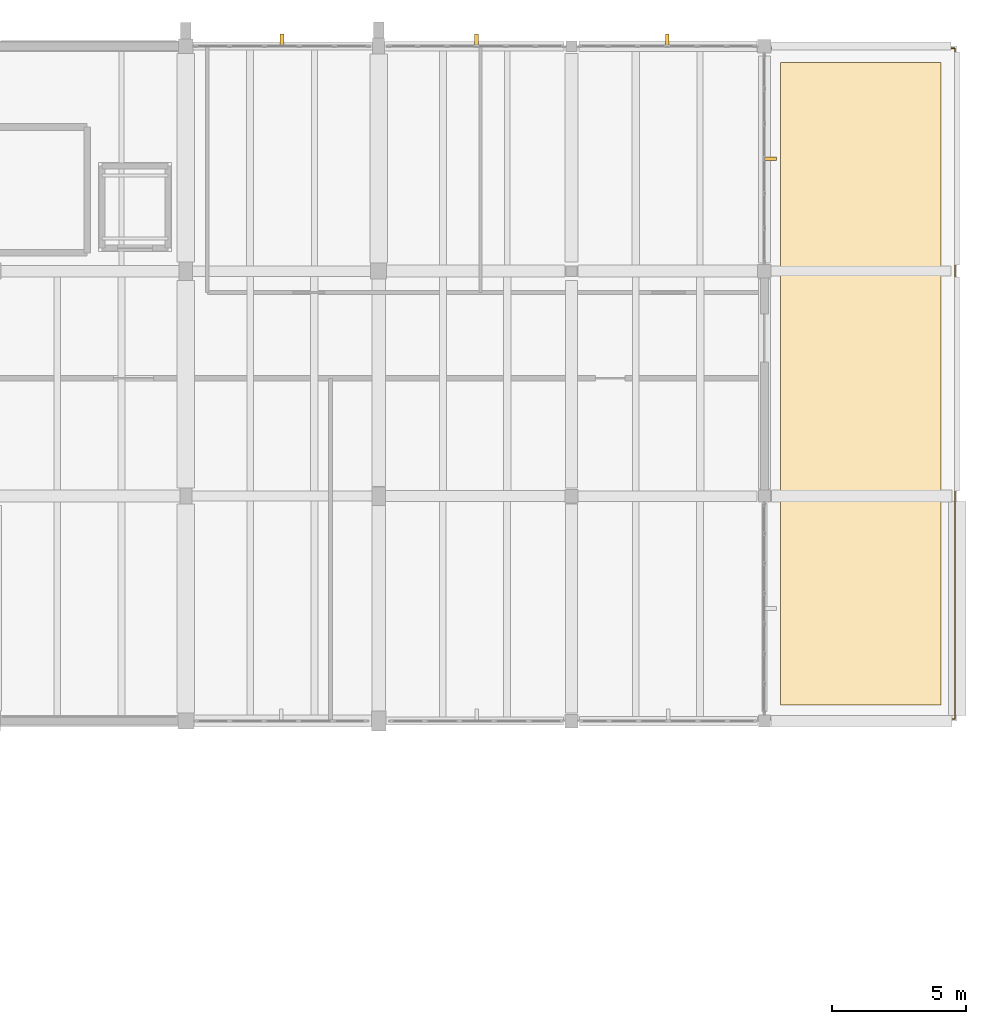
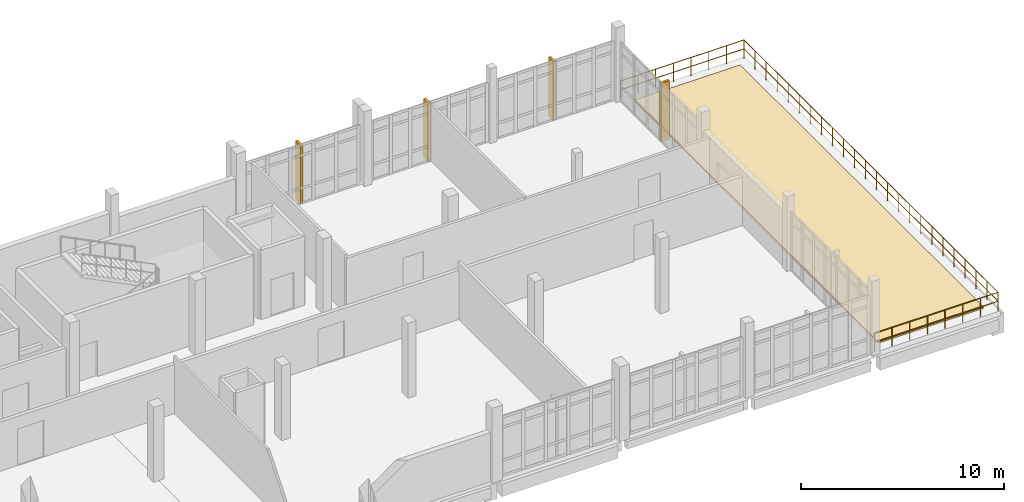
# One storey, part 41 of 41: 4 shading devices, 1 covering, 1 railing.
"""IFC4 building model written with IfcOpenShell, lengths in metres."""

import ifcopenshell
import ifcopenshell.guid

model = None  # the IFC model being written
_history = None  # IfcOwnerHistory: only IFC2X3 demands one
_inside = {}  # id of a spatial element -> (the spatial element, [elements in it])
_under = {}  # id of a project, library or spatial element -> (it, [spatial elements below it])
_declared = {}  # id of a project -> (the project, [libraries it declares])
_typed = {}  # id of a type object -> (the type object, [elements of that type])
_made_of = {}  # id of a material, layer set ... -> (it, [elements and type objects made of it])


def new_model(schema):
    """Start an empty IFC model of exactly this schema.

    Asked for "IFC4X3", IfcOpenShell would pick the latest addendum, in which some entities
    have other attributes; the version numbers below select the first issue.
    IFC2X3 requires an IfcOwnerHistory on every rooted entity: one is made here for all.
    """
    global model, _history
    if schema == "IFC4X3":
        model = ifcopenshell.file(schema_version=(4, 3, 0, 0))
    else:
        model = ifcopenshell.file(schema=schema)
    _inside.clear()
    _under.clear()
    _declared.clear()
    _typed.clear()
    _made_of.clear()
    _history = None
    if model.schema == "IFC2X3":
        org = make("IfcOrganization", Name="unknown")
        user = make(
            "IfcPersonAndOrganization",
            ThePerson=make("IfcPerson", FamilyName="unknown"),
            TheOrganization=org,
        )
        app = make(
            "IfcApplication",
            ApplicationDeveloper=org,
            Version="unknown",
            ApplicationFullName="unknown",
            ApplicationIdentifier="unknown",
        )
        _history = make(
            "IfcOwnerHistory",
            OwningUser=user,
            OwningApplication=app,
            ChangeAction="ADDED",
            CreationDate=0,
        )
    return model


def make(cls, **values):
    """One entity of the class cls with the attributes given. An attribute that is None is left unset."""
    return model.create_entity(
        cls, **{name: value for name, value in values.items() if value is not None}
    )


def rooted(cls, **values):
    """An entity with a GlobalId (a new one), such as an element, a storey or a relation."""
    return make(cls, GlobalId=ifcopenshell.guid.new(), OwnerHistory=_history, **values)


def si_unit(unit_type, name, prefix=None):
    """IfcSIUnit, for example si_unit("LENGTHUNIT", "METRE", prefix="MILLI")."""
    return make("IfcSIUnit", UnitType=unit_type, Prefix=prefix, Name=name)


def assignment(units):
    """IfcUnitAssignment: the units of a project."""
    return None if units is None else make("IfcUnitAssignment", Units=units)


def point(xyz):
    """IfcCartesianPoint."""
    return None if xyz is None else make("IfcCartesianPoint", Coordinates=xyz)


def direction(xyz):
    """IfcDirection."""
    return None if xyz is None else make("IfcDirection", DirectionRatios=xyz)


def frame(location, z_axis=None, x_axis=None):
    """IfcAxis2Placement3D, a coordinate frame: its origin and axes. An axis left out is left unset."""
    return make(
        "IfcAxis2Placement3D",
        Location=point(location),
        Axis=direction(z_axis),
        RefDirection=direction(x_axis),
    )


def frame_2d(location, x_axis=None):
    """IfcAxis2Placement2D, a coordinate frame in the plane: its origin and x axis."""
    return make(
        "IfcAxis2Placement2D", Location=point(location), RefDirection=direction(x_axis)
    )


def origin():
    """The frame at (0, 0, 0) with its axes left unset."""
    return frame((0.0, 0.0, 0.0))


def origin_2d():
    """The frame at (0, 0) in the plane with its x axis left unset."""
    return frame_2d((0.0, 0.0))


def place(relative_to, where):
    """IfcLocalPlacement: puts the frame where relative to a parent placement (None: the world)."""
    return make(
        "IfcLocalPlacement", PlacementRelTo=relative_to, RelativePlacement=where
    )


def context(
    kind, dimensions, precision=None, world=None, true_north=None, identifier=None
):
    """IfcGeometricRepresentationContext, for example the 3D "Model" context."""
    return make(
        "IfcGeometricRepresentationContext",
        ContextIdentifier=identifier,
        ContextType=kind,
        CoordinateSpaceDimension=dimensions,
        Precision=precision,
        WorldCoordinateSystem=world,
        TrueNorth=true_north,
    )


def subcontext(parent, identifier, kind, view, scale=None):
    """IfcGeometricRepresentationSubContext, for example "Body" below "Model"."""
    return make(
        "IfcGeometricRepresentationSubContext",
        ContextIdentifier=identifier,
        ContextType=kind,
        ParentContext=parent,
        TargetScale=scale,
        TargetView=view,
    )


def project(units=None, contexts=None):
    """IfcProject with its units and contexts."""
    return rooted(
        "IfcProject",
        Name="project",
        RepresentationContexts=contexts,
        UnitsInContext=assignment(units),
    )


def spatial(cls, under=None, at=None, **own):
    """A site, building, storey or space (cls), placed at a placement, below another one or the project."""
    s = rooted(cls, ObjectPlacement=at, **own)
    if under is not None:
        _under.setdefault(under.id(), (under, []))[1].append(s)
    return s


def polyline(points):
    """IfcPolyline through the points."""
    return make("IfcPolyline", Points=[point(p) for p in points])


def profile(cls, at=None, kind="AREA", **sizes):
    """A parametric profile (cls). Its sizes go by their IFC names, for example OverallWidth=200.0."""
    return make(cls, ProfileType=kind, Position=at, **sizes)


def rectangle(**sizes):
    """IfcRectangleProfileDef."""
    return profile("IfcRectangleProfileDef", **sizes)


def circle(**sizes):
    """IfcCircleProfileDef."""
    return profile("IfcCircleProfileDef", **sizes)


def outline(outer, holes=None, kind="AREA"):
    """IfcArbitraryClosedProfileDef: a profile drawn as a closed curve; with holes, ...WithVoids."""
    if holes is None:
        return make("IfcArbitraryClosedProfileDef", ProfileType=kind, OuterCurve=outer)
    return make(
        "IfcArbitraryProfileDefWithVoids",
        ProfileType=kind,
        OuterCurve=outer,
        InnerCurves=holes,
    )


def extrude(swept, where, along, depth):
    """IfcExtrudedAreaSolid: the profile swept, set in the frame where, extruded along a direction by depth."""
    return make(
        "IfcExtrudedAreaSolid",
        SweptArea=swept,
        Position=where,
        ExtrudedDirection=direction(along),
        Depth=depth,
    )


def shape(context_of_items, identifier, shape_type, items):
    """IfcShapeRepresentation: the items that make up one representation, for example the "Body"."""
    return make(
        "IfcShapeRepresentation",
        ContextOfItems=context_of_items,
        RepresentationIdentifier=identifier,
        RepresentationType=shape_type,
        Items=items,
    )


def material(Name=None, Category=None):
    """IfcMaterial."""
    return make("IfcMaterial", Name=Name, Category=Category)


def layer(
    of_material, thickness, ventilated=None, Name=None, Category=None, Priority=None
):
    """IfcMaterialLayer: one layer of a wall or slab, of a material (None: an air gap)."""
    return make(
        "IfcMaterialLayer",
        Material=of_material,
        LayerThickness=thickness,
        IsVentilated=ventilated,
        Name=Name,
        Category=Category,
        Priority=Priority,
    )


def layer_set(layers, Name=None):
    """IfcMaterialLayerSet."""
    return make("IfcMaterialLayerSet", MaterialLayers=layers, LayerSetName=Name)


def made_of(thing, what):
    """Note that an element or type object is made of a material, layer set ...; save() writes the relation."""
    if what is not None:
        _made_of.setdefault(what.id(), (what, []))[1].append(thing)
    return thing


def type_object(cls, material=None, **own):
    """A type object (cls), such as IfcWallType, which elements share."""
    return made_of(rooted(cls, **own), material)


def element(
    cls,
    number,
    at=None,
    inside=None,
    cuts=None,
    type_object=None,
    material=None,
    context=None,
    identifier="Body",
    shape_type=None,
    held_by="IfcProductDefinitionShape",
    body=None,
    shapes=None,
    **own,
):
    """One element of the class cls, such as IfcWall. Its Tag is "e" and its number.

    at: its placement. inside: the storey or other place that contains it. cuts: it is an
    opening in that element (IfcRelVoidsElement). A single representation is given by context,
    identifier, shape_type and body (its items); several are given by shapes. held_by: the class
    of the entity that holds the representations. save() writes the other relations.
    """
    e = rooted(cls, Tag="e%d" % number, ObjectPlacement=at, **own)
    if body is not None:
        shapes = [shape(context, identifier, shape_type, body)]
    if shapes is not None:
        e.Representation = make(held_by, Representations=shapes)
    if inside is not None:
        _inside.setdefault(inside.id(), (inside, []))[1].append(e)
    if cuts is not None:
        rooted(
            "IfcRelVoidsElement", RelatingBuildingElement=cuts, RelatedOpeningElement=e
        )
    if type_object is not None:
        _typed.setdefault(type_object.id(), (type_object, []))[1].append(e)
    return made_of(e, material)


def aggregate(whole, parts):
    """IfcRelAggregates: a whole, such as a stair, and the parts it consists of."""
    return rooted("IfcRelAggregates", RelatingObject=whole, RelatedObjects=parts)


def save(model, path):
    """Write the relations noted so far, then the file.

    IfcRelAggregates (storeys below a building ...), IfcRelContainedInSpatialStructure (elements
    in a storey), IfcRelDefinesByType, IfcRelAssociatesMaterial and IfcRelDeclares: one each for
    every whole, place, type object, material and project.
    """
    for whole, parts in _under.values():
        aggregate(whole, parts)
    for where, things in _inside.values():
        rooted(
            "IfcRelContainedInSpatialStructure",
            RelatedElements=things,
            RelatingStructure=where,
        )
    for kind, things in _typed.values():
        rooted("IfcRelDefinesByType", RelatedObjects=things, RelatingType=kind)
    for what, things in _made_of.values():
        rooted("IfcRelAssociatesMaterial", RelatedObjects=things, RelatingMaterial=what)
    for by, libraries in _declared.values():
        rooted("IfcRelDeclares", RelatingContext=by, RelatedDefinitions=libraries)
    model.write(path)


model = new_model("IFC4")

# Units and contexts
model_context = context("Model", 3, precision=1e-05, world=origin(), true_north=direction((0.0, 1.0)))
body_context = subcontext(model_context, "Body", "Model", "MODEL_VIEW")
ifc_project = project(units=[si_unit("LENGTHUNIT", "METRE"), si_unit("AREAUNIT", "SQUARE_METRE"), si_unit("VOLUMEUNIT", "CUBIC_METRE"), si_unit("PLANEANGLEUNIT", "RADIAN"), si_unit("MASSUNIT", "GRAM", prefix="KILO")], contexts=[model_context])

# Site, building, storey
site_placement = place(None, origin())
site = spatial("IfcSite", under=ifc_project, at=site_placement, CompositionType="ELEMENT")
building_placement = place(site_placement, origin())
building = spatial("IfcBuilding", under=site, at=building_placement, Name="Kalluvel Institute of Natural Sciences", CompositionType="ELEMENT")
storey_placement = place(building_placement, frame((0.0, 0.0, 32.39990234375)))
storey = spatial("IfcBuildingStorey", under=building, at=storey_placement, Name="L07", CompositionType="ELEMENT", Elevation=32.39990234375)

# Covering
ifc_material_1 = material(Name="Planted Sedum and Native Flora Green-Roof Build-Up", Category="earth")
ifc_layer = layer(ifc_material_1, 0.090087890625)
ifc_layer_set = layer_set([ifc_layer], Name="Planted Sedum and Native Flora Green-Roof Build-Up")
covering_type = type_object("IfcCoveringType", Name="COV-TER-PLANTED", PredefinedType="ROOFING", material=ifc_layer_set)
covering_placement = place(storey_placement, origin())
element("IfcCovering", 1, at=covering_placement, inside=storey, type_object=covering_type, Name="L07 botanical planted terrace green-roof strip RM-L07-WET-PLANT", PredefinedType="ROOFING", context=body_context, shape_type="SweptSolid", body=[
    extrude(outline(polyline([(101.0, 103.39990234375), (107.0, 103.39990234375), (107.0, 127.39990234375), (101.0, 127.39990234375), (101.0, 103.39990234375)])), origin(), (0.0, 0.0, 1.0), 0.090087890625),
])

# Railing
ifc_material_2 = material(Name="Steel E350 Grade 350", Category="steel")
railing_type = type_object("IfcRailingType", Name="RL-BAL-EXT", PredefinedType="BALUSTRADE", material=ifc_material_2)
railing_placement = place(storey_placement, frame((100.47998046875, 102.8798828125, 0.0)))
element("IfcRailing", 2, at=railing_placement, inside=storey, type_object=railing_type, Name="L07 Wet-Wing east terrace balustrade", PredefinedType="BALUSTRADE", context=body_context, shape_type="SweptSolid", body=[
    extrude(circle(Radius=0.02392578125, at=origin_2d()), frame((0.0, 0.0, 1.09619140625), z_axis=(1.0, 0.0, 0.0), x_axis=(0.0, 1.0, 0.0)), (0.0, 0.0, 1.0), 7.0400390625),
    extrude(circle(Radius=0.02392578125, at=origin_2d()), frame((0.0, 0.0, 0.56005859375), z_axis=(1.0, 0.0, 0.0), x_axis=(0.0, 1.0, 0.0)), (0.0, 0.0, 1.0), 7.0400390625),
    extrude(circle(Radius=0.02392578125, at=origin_2d()), frame((7.0400390625, 0.0, 1.09619140625), z_axis=(0.0, 1.0, 0.0), x_axis=(-1.0, 0.0, 0.0)), (0.0, 0.0, 1.0), 25.0400390625),
    extrude(circle(Radius=0.02392578125, at=origin_2d()), frame((7.0400390625, 0.0, 0.56005859375), z_axis=(0.0, 1.0, 0.0), x_axis=(-1.0, 0.0, 0.0)), (0.0, 0.0, 1.0), 25.0400390625),
    extrude(circle(Radius=0.02392578125, at=origin_2d()), frame((7.0400390625, 25.0400390625, 1.09619140625), z_axis=(-1.0, 0.0, 0.0), x_axis=(0.0, -1.0, 0.0)), (0.0, 0.0, 1.0), 7.0400390625),
    extrude(circle(Radius=0.02392578125, at=origin_2d()), frame((7.0400390625, 25.0400390625, 0.56005859375), z_axis=(-1.0, 0.0, 0.0), x_axis=(0.0, -1.0, 0.0)), (0.0, 0.0, 1.0), 7.0400390625),
    extrude(circle(Radius=0.02099609375, at=origin_2d()), origin(), (0.0, 0.0, 1.0), 1.072021484375),
    extrude(circle(Radius=0.02099609375, at=origin_2d()), frame((1.005615234375, 0.0, 0.0)), (0.0, 0.0, 1.0), 1.072021484375),
    extrude(circle(Radius=0.02099609375, at=origin_2d()), frame((2.011474609375, 0.0, 0.0)), (0.0, 0.0, 1.0), 1.072021484375),
    extrude(circle(Radius=0.02099609375, at=origin_2d()), frame((3.01708984375, 0.0, 0.0)), (0.0, 0.0, 1.0), 1.072021484375),
    extrude(circle(Radius=0.02099609375, at=origin_2d()), frame((4.02294921875, 0.0, 0.0)), (0.0, 0.0, 1.0), 1.072021484375),
    extrude(circle(Radius=0.02099609375, at=origin_2d()), frame((5.028564453125, 0.0, 0.0)), (0.0, 0.0, 1.0), 1.072021484375),
    extrude(circle(Radius=0.02099609375, at=origin_2d()), frame((6.034423828125, 0.0, 0.0)), (0.0, 0.0, 1.0), 1.072021484375),
    extrude(circle(Radius=0.02099609375, at=origin_2d()), frame((7.0400390625, 0.0, 0.0)), (0.0, 0.0, 1.0), 1.072021484375),
    extrude(circle(Radius=0.02099609375, at=origin_2d()), frame((7.0400390625, 1.088623046875, 0.0)), (0.0, 0.0, 1.0), 1.072021484375),
    extrude(circle(Radius=0.02099609375, at=origin_2d()), frame((7.0400390625, 2.177490234375, 0.0)), (0.0, 0.0, 1.0), 1.072021484375),
    extrude(circle(Radius=0.02099609375, at=origin_2d()), frame((7.0400390625, 3.26611328125, 0.0)), (0.0, 0.0, 1.0), 1.072021484375),
    extrude(circle(Radius=0.02099609375, at=origin_2d()), frame((7.0400390625, 4.354736328125, 0.0)), (0.0, 0.0, 1.0), 1.072021484375),
    extrude(circle(Radius=0.02099609375, at=origin_2d()), frame((7.0400390625, 5.443603515625, 0.0)), (0.0, 0.0, 1.0), 1.072021484375),
    extrude(circle(Radius=0.02099609375, at=origin_2d()), frame((7.0400390625, 6.5322265625, 0.0)), (0.0, 0.0, 1.0), 1.072021484375),
    extrude(circle(Radius=0.02099609375, at=origin_2d()), frame((7.0400390625, 7.620849609375, 0.0)), (0.0, 0.0, 1.0), 1.072021484375),
    extrude(circle(Radius=0.02099609375, at=origin_2d()), frame((7.0400390625, 8.70947265625, 0.0)), (0.0, 0.0, 1.0), 1.072021484375),
    extrude(circle(Radius=0.02099609375, at=origin_2d()), frame((7.0400390625, 9.79833984375, 0.0)), (0.0, 0.0, 1.0), 1.072021484375),
    extrude(circle(Radius=0.02099609375, at=origin_2d()), frame((7.0400390625, 10.886962890625, 0.0)), (0.0, 0.0, 1.0), 1.072021484375),
    extrude(circle(Radius=0.02099609375, at=origin_2d()), frame((7.0400390625, 11.9755859375, 0.0)), (0.0, 0.0, 1.0), 1.072021484375),
    extrude(circle(Radius=0.02099609375, at=origin_2d()), frame((7.0400390625, 13.064453125, 0.0)), (0.0, 0.0, 1.0), 1.072021484375),
    extrude(circle(Radius=0.02099609375, at=origin_2d()), frame((7.0400390625, 14.153076171875, 0.0)), (0.0, 0.0, 1.0), 1.072021484375),
    extrude(circle(Radius=0.02099609375, at=origin_2d()), frame((7.0400390625, 15.24169921875, 0.0)), (0.0, 0.0, 1.0), 1.072021484375),
    extrude(circle(Radius=0.02099609375, at=origin_2d()), frame((7.0400390625, 16.33056640625, 0.0)), (0.0, 0.0, 1.0), 1.072021484375),
    extrude(circle(Radius=0.02099609375, at=origin_2d()), frame((7.0400390625, 17.419189453125, 0.0)), (0.0, 0.0, 1.0), 1.072021484375),
    extrude(circle(Radius=0.02099609375, at=origin_2d()), frame((7.0400390625, 18.5078125, 0.0)), (0.0, 0.0, 1.0), 1.072021484375),
    extrude(circle(Radius=0.02099609375, at=origin_2d()), frame((7.0400390625, 19.596435546875, 0.0)), (0.0, 0.0, 1.0), 1.072021484375),
    extrude(circle(Radius=0.02099609375, at=origin_2d()), frame((7.0400390625, 20.685302734375, 0.0)), (0.0, 0.0, 1.0), 1.072021484375),
    extrude(circle(Radius=0.02099609375, at=origin_2d()), frame((7.0400390625, 21.77392578125, 0.0)), (0.0, 0.0, 1.0), 1.072021484375),
    extrude(circle(Radius=0.02099609375, at=origin_2d()), frame((7.0400390625, 22.862548828125, 0.0)), (0.0, 0.0, 1.0), 1.072021484375),
    extrude(circle(Radius=0.02099609375, at=origin_2d()), frame((7.0400390625, 23.951416015625, 0.0)), (0.0, 0.0, 1.0), 1.072021484375),
    extrude(circle(Radius=0.02099609375, at=origin_2d()), frame((7.0400390625, 25.0400390625, 0.0)), (0.0, 0.0, 1.0), 1.072021484375),
    extrude(circle(Radius=0.02099609375, at=origin_2d()), frame((6.034423828125, 25.0400390625, 0.0)), (0.0, 0.0, 1.0), 1.072021484375),
    extrude(circle(Radius=0.02099609375, at=origin_2d()), frame((5.028564453125, 25.0400390625, 0.0)), (0.0, 0.0, 1.0), 1.072021484375),
    extrude(circle(Radius=0.02099609375, at=origin_2d()), frame((4.02294921875, 25.0400390625, 0.0)), (0.0, 0.0, 1.0), 1.072021484375),
    extrude(circle(Radius=0.02099609375, at=origin_2d()), frame((3.01708984375, 25.0400390625, 0.0)), (0.0, 0.0, 1.0), 1.072021484375),
    extrude(circle(Radius=0.02099609375, at=origin_2d()), frame((2.011474609375, 25.0400390625, 0.0)), (0.0, 0.0, 1.0), 1.072021484375),
    extrude(circle(Radius=0.02099609375, at=origin_2d()), frame((1.005615234375, 25.0400390625, 0.0)), (0.0, 0.0, 1.0), 1.072021484375),
    extrude(circle(Radius=0.02099609375, at=origin_2d()), frame((0.0, 25.0400390625, 0.0)), (0.0, 0.0, 1.0), 1.072021484375),
])

# Shading devices
ifc_material_3 = material(Name="Sadarahalli Grey Granite Ashlar Concrete M40", Category="masonry")
shading_device_type = type_object("IfcShadingDeviceType", Name="SHD-FIN-STONE", PredefinedType="USERDEFINED", material=ifc_material_3)
for number, where, z_axis, x_axis, name in (
    (3, (82.387451171875, 128.219970703125, 0.0), (0.0, 0.0, 1.0), (1.0, 0.0, 0.0), "L07 monsoon lancet shading fin 92"),
    (4, (89.64990234375, 128.219970703125, 0.0), (0.0, 0.0, 1.0), (1.0, 0.0, 0.0), "L07 monsoon lancet shading fin 93"),
    (5, (96.77490234375, 128.219970703125, 0.0), (0.0, 0.0, 1.0), (1.0, 0.0, 0.0), "L07 monsoon lancet shading fin 94"),
    (6, (100.6201171875, 123.800048828125, 0.0), (0.0, 0.0, 1.0), (0.0, 1.0, 0.0), "L07 monsoon lancet shading fin 103"),
):
    element("IfcShadingDevice", number, at=place(storey_placement, frame(where, z_axis=z_axis, x_axis=x_axis)), inside=storey, type_object=shading_device_type, Name=name, ObjectType="MONSOON FIN", PredefinedType="USERDEFINED", context=body_context, shape_type="SweptSolid", body=[
        extrude(rectangle(XDim=0.139892578125, YDim=0.47998046875, at=origin_2d()), origin(), (0.0, 0.0, 1.0), 3.530029296875),
    ])

save(model, "model.ifc")
